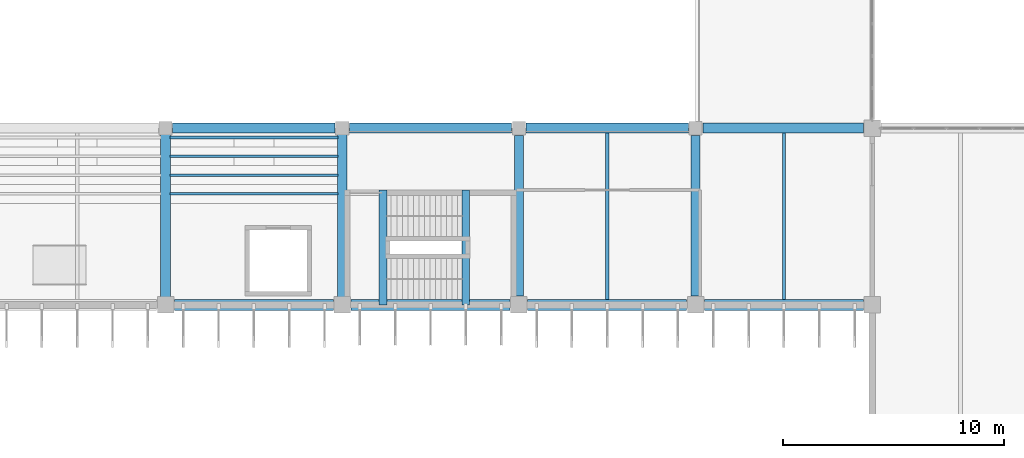
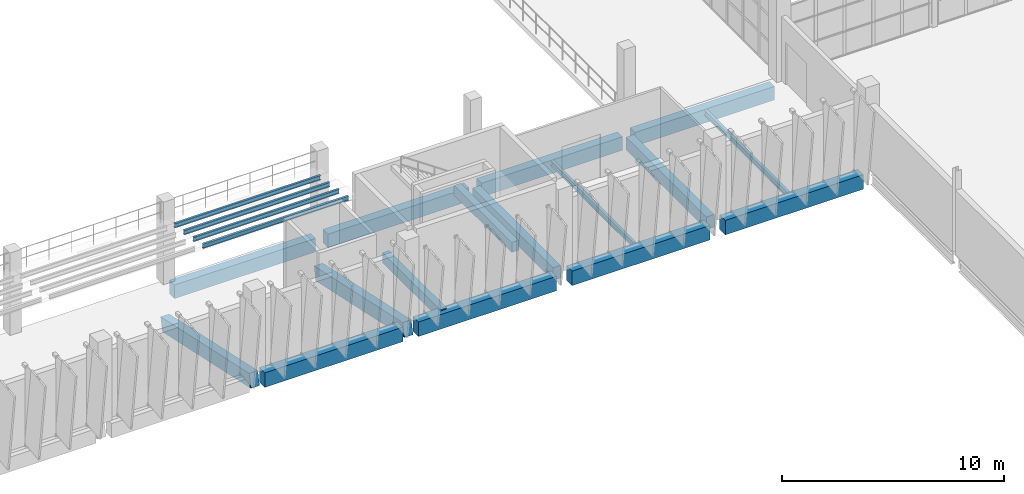
# One storey, part 16 of 93: 20 beams.
"""IFC4 building model written with IfcOpenShell, lengths in metres."""

from ifc_helpers import new_model, si_unit, direction, frame, origin, origin_2d, place, context, subcontext, project, spatial, rectangle, i_section, extrude, material, material_profile, profile_set, type_object, element, save


model = new_model("IFC4")

# Units and contexts
model_context = context("Model", 3, precision=1e-05, world=origin(), true_north=direction((0.0, 1.0)))
body_context = subcontext(model_context, "Body", "Model", "MODEL_VIEW")
ifc_project = project(units=[si_unit("LENGTHUNIT", "METRE"), si_unit("AREAUNIT", "SQUARE_METRE"), si_unit("VOLUMEUNIT", "CUBIC_METRE"), si_unit("PLANEANGLEUNIT", "RADIAN"), si_unit("MASSUNIT", "GRAM", prefix="KILO")], contexts=[model_context])

# Site, building, storey
site_placement = place(None, origin())
site = spatial("IfcSite", under=ifc_project, at=site_placement, CompositionType="ELEMENT")
building_placement = place(site_placement, origin())
building = spatial("IfcBuilding", under=site, at=building_placement, Name="Drelvana Railside Aquatics Centre", CompositionType="ELEMENT")
storey_placement = place(building_placement, frame((0.0, 0.0, 5.39990234375)))
storey = spatial("IfcBuildingStorey", under=building, at=storey_placement, Name="L01", CompositionType="ELEMENT", Elevation=5.39990234375)

# Beams
ifc_material_1 = material(Name="Concrete C40/50", Category="concrete")
ifc_material_profile_1 = material_profile(ifc_material_1, rectangle(XDim=0.35009765625, YDim=0.550048828125, at=origin_2d()), Name="RC 350x550")
ifc_profile_set_1 = profile_set([ifc_material_profile_1], Name="Concrete C40/50")
beam_type_1 = type_object("IfcBeamType", Name="STR-BM-BM-01-RC-350x550", PredefinedType="BEAM", material=ifc_profile_set_1)
for number, where, z_axis, x_axis, name in (
    (1, (73.85009765625, 16.0, -0.474853515625), (0.0, 1.0, 0.0), (-1.0, 0.0, 0.0), "Stair ST-02 L01 landing beam"),
    (2, (77.590087890625, 16.0, 1.925048828125), (0.0, 1.0, 0.0), (-1.0, 0.0, 0.0), "Stair ST-02 L01 mid-landing beam"),
):
    element("IfcBeam", number, at=place(storey_placement, frame(where, z_axis=z_axis, x_axis=x_axis)), inside=storey, type_object=beam_type_1, Name=name, PredefinedType="BEAM", context=body_context, shape_type="SweptSolid", body=[
        extrude(rectangle(XDim=0.35009765625, YDim=0.550048828125, at=origin_2d()), origin(), (0.0, 0.0, 1.0), 5.199951171875),
    ])
ifc_material_profile_2 = material_profile(ifc_material_1, rectangle(XDim=0.39990234375, YDim=0.699951171875, at=origin_2d()), Name="RC 400x700")
ifc_profile_set_2 = profile_set([ifc_material_profile_2], Name="Concrete C40/50")
beam_type_2 = type_object("IfcBeamType", Name="STR-BM-BM-03-RC-400x700", PredefinedType="BEAM", material=ifc_profile_set_2)
for number, where, z_axis, x_axis, name in (
    (3, (80.0, 16.39990234375, -0.625), (0.0, 1.0, 0.0), (-1.0, 0.0, 0.0), "Girder BM-03 (L01)"),
    (4, (88.0, 16.39990234375, -0.625), (0.0, 1.0, 0.0), (-1.0, 0.0, 0.0), "Girder BM-03 (L01)"),
):
    element("IfcBeam", number, at=place(storey_placement, frame(where, z_axis=z_axis, x_axis=x_axis)), inside=storey, type_object=beam_type_2, Name=name, PredefinedType="BEAM", context=body_context, shape_type="SweptSolid", body=[
        extrude(rectangle(XDim=0.39990234375, YDim=0.699951171875, at=origin_2d()), origin(), (0.0, 0.0, 1.0), 7.275146484375),
    ])
ifc_material_profile_3 = material_profile(ifc_material_1, rectangle(XDim=0.449951171875, YDim=0.75, at=origin_2d()), Name="RC 450x750")
ifc_profile_set_3 = profile_set([ifc_material_profile_3], Name="Concrete C40/50")
beam_type_3 = type_object("IfcBeamType", Name="STR-BM-BM-04-RC-450x750", PredefinedType="BEAM", material=ifc_profile_set_3)
for number, where, z_axis, x_axis, name in (
    (5, (64.324951171875, 24.0, -0.64990234375), (1.0, 0.0, 0.0), (0.0, 1.0, 0.0), "Girder BM-04 (L01)"),
    (6, (72.324951171875, 24.0, -0.64990234375), (1.0, 0.0, 0.0), (0.0, 1.0, 0.0), "Girder BM-04 (L01)"),
    (7, (80.324951171875, 24.0, -0.64990234375), (1.0, 0.0, 0.0), (0.0, 1.0, 0.0), "Girder BM-04 (L01)"),
):
    element("IfcBeam", number, at=place(storey_placement, frame(where, z_axis=z_axis, x_axis=x_axis)), inside=storey, type_object=beam_type_3, Name=name, PredefinedType="BEAM", context=body_context, shape_type="SweptSolid", body=[
        extrude(rectangle(XDim=0.449951171875, YDim=0.75, at=origin_2d()), origin(), (0.0, 0.0, 1.0), 7.35009765625),
    ])
beam_placement = place(storey_placement, frame((88.324951171875, 24.0, -0.64990234375), z_axis=(1.0, 0.0, 0.0), x_axis=(0.0, 1.0, 0.0)))
element("IfcBeam", 8, at=beam_placement, inside=storey, type_object=beam_type_3, Name="Girder BM-04 (L01)", PredefinedType="BEAM", context=body_context, shape_type="SweptSolid", body=[
    extrude(rectangle(XDim=0.449951171875, YDim=0.75, at=origin_2d()), origin(), (0.0, 0.0, 1.0), 7.275146484375),
])
ifc_material_profile_4 = material_profile(ifc_material_1, rectangle(XDim=0.5, YDim=0.800048828125, at=origin_2d()), Name="RC 500x800")
ifc_profile_set_4 = profile_set([ifc_material_profile_4], Name="Concrete C40/50")
beam_type_4 = type_object("IfcBeamType", Name="STR-BM-BM-06-RC-500x800", PredefinedType="SPANDREL", material=ifc_profile_set_4)
for number, where, z_axis, x_axis, name in (
    (9, (64.39990234375, 16.0, -0.6748046875), (1.0, 0.0, 0.0), (0.0, 1.0, 0.0), "Girder BM-06 (L01)"),
    (10, (72.39990234375, 16.0, -0.6748046875), (1.0, 0.0, 0.0), (0.0, 1.0, 0.0), "Girder BM-06 (L01)"),
    (11, (80.39990234375, 16.0, -0.6748046875), (1.0, 0.0, 0.0), (0.0, 1.0, 0.0), "Girder BM-06 (L01)"),
    (12, (88.39990234375, 16.0, -0.6748046875), (1.0, 0.0, 0.0), (0.0, 1.0, 0.0), "Girder BM-06 (L01)"),
):
    element("IfcBeam", number, at=place(storey_placement, frame(where, z_axis=z_axis, x_axis=x_axis)), inside=storey, type_object=beam_type_4, Name=name, PredefinedType="SPANDREL", context=body_context, shape_type="SweptSolid", body=[
        extrude(rectangle(XDim=0.5, YDim=0.800048828125, at=origin_2d()), origin(), (0.0, 0.0, 1.0), 7.2001953125),
    ])
ifc_material_profile_5 = material_profile(ifc_material_1, rectangle(XDim=0.449951171875, YDim=0.75, at=origin_2d()), Name="RC 450x750")
ifc_profile_set_5 = profile_set([ifc_material_profile_5], Name="Concrete C40/50")
beam_type_5 = type_object("IfcBeamType", Name="STR-BM-RK-02-RC-450x750", PredefinedType="USERDEFINED", material=ifc_profile_set_5)
for number, where, z_axis, x_axis, name in (
    (13, (64.0, 24.0, -2.3798828125), (0.0, -0.977407837194, 0.211362058544), (1.0, 0.0, 0.0), "Lower stand raker beam RK-02 S-X64"),
    (14, (72.0, 24.0, -2.3798828125), (0.0, -0.977407837194, 0.211362058544), (1.0, 0.0, 0.0), "Lower stand raker beam RK-02 S-X72"),
):
    element("IfcBeam", number, at=place(storey_placement, frame(where, z_axis=z_axis, x_axis=x_axis)), inside=storey, type_object=beam_type_5, Name=name, ObjectType="RAKER", PredefinedType="USERDEFINED", context=body_context, shape_type="SweptSolid", body=[
        extrude(rectangle(XDim=0.449951171875, YDim=0.75, at=origin_2d()), origin(), (0.0, 0.0, 1.0), 8.184814453125),
    ])
ifc_material_2 = material(Name="Structural steel S355", Category="steel")
ifc_material_profile_6 = material_profile(ifc_material_2, i_section(OverallWidth=0.1201171875, OverallDepth=0.239990234375, WebThickness=0.006103515625, FlangeThickness=0.009765625, at=origin_2d()), Name="IPE 240")
ifc_profile_set_6 = profile_set([ifc_material_profile_6], Name="Structural steel S355")
beam_type_6 = type_object("IfcBeamType", Name="STR-SBM-SJ-01-IPE-240", PredefinedType="JOIST", material=ifc_profile_set_6)
for number, where, z_axis, x_axis, name in (
    (15, (64.199951171875, 23.574951171875, 3.17919921875), (1.0, 0.0, 0.0), (0.0, 1.0, 0.0), "Upper stand tier bearer 5.R1"),
    (16, (64.199951171875, 22.72509765625, 3.3173828125), (1.0, 0.0, 0.0), (0.0, 1.0, 0.0), "Upper stand tier bearer 5.R2"),
    (17, (64.199951171875, 21.875, 3.455322265625), (1.0, 0.0, 0.0), (0.0, 1.0, 0.0), "Upper stand tier bearer 5.R3"),
    (18, (64.199951171875, 21.02490234375, 3.593505859375), (1.0, 0.0, 0.0), (0.0, 1.0, 0.0), "Upper stand tier bearer 5.R4"),
):
    element("IfcBeam", number, at=place(storey_placement, frame(where, z_axis=z_axis, x_axis=x_axis)), inside=storey, type_object=beam_type_6, Name=name, PredefinedType="JOIST", context=body_context, shape_type="SweptSolid", body=[
        extrude(i_section(OverallWidth=0.1201171875, OverallDepth=0.239990234375, WebThickness=0.006103515625, FlangeThickness=0.009765625, at=origin_2d()), origin(), (0.0, 0.0, 1.0), 7.60009765625),
    ])
ifc_material_profile_7 = material_profile(ifc_material_2, i_section(OverallWidth=0.14990234375, OverallDepth=0.300048828125, WebThickness=0.007080078125, FlangeThickness=0.0107421875, at=origin_2d()), Name="IPE 300")
ifc_profile_set_7 = profile_set([ifc_material_profile_7], Name="Structural steel S355")
beam_type_7 = type_object("IfcBeamType", Name="STR-SBM-SJ-03-IPE-300", PredefinedType="JOIST", material=ifc_profile_set_7)
for number, where, z_axis, x_axis, name in (
    (19, (84.0, 16.25, -0.4248046875), (0.0, 1.0, 0.0), (-1.0, 0.0, 0.0), "Secondary floor joist SJ-03 (L01)"),
    (20, (92.0, 16.25, -0.4248046875), (0.0, 1.0, 0.0), (-1.0, 0.0, 0.0), "Secondary floor joist SJ-03 (L01)"),
):
    element("IfcBeam", number, at=place(storey_placement, frame(where, z_axis=z_axis, x_axis=x_axis)), inside=storey, type_object=beam_type_7, Name=name, PredefinedType="JOIST", context=body_context, shape_type="SweptSolid", body=[
        extrude(i_section(OverallWidth=0.14990234375, OverallDepth=0.300048828125, WebThickness=0.007080078125, FlangeThickness=0.0107421875, at=origin_2d()), origin(), (0.0, 0.0, 1.0), 7.52490234375),
    ])

save(model, "model.ifc")
